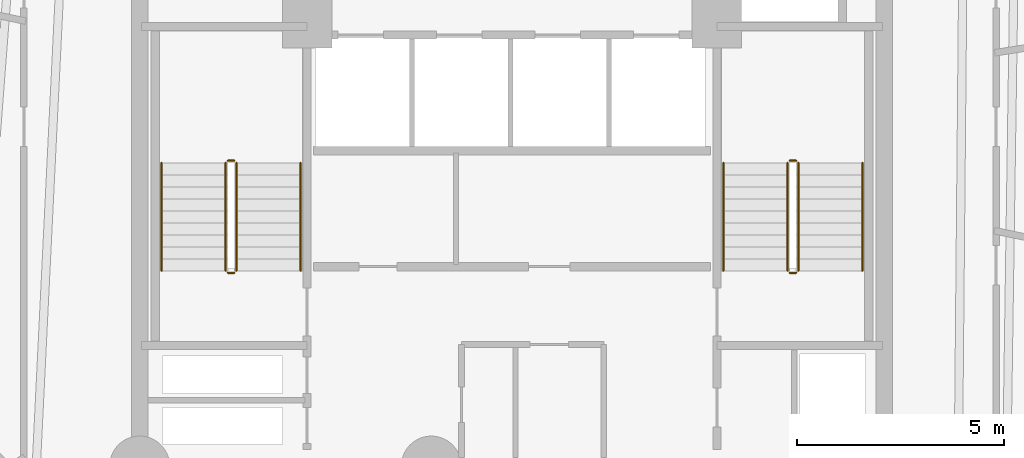
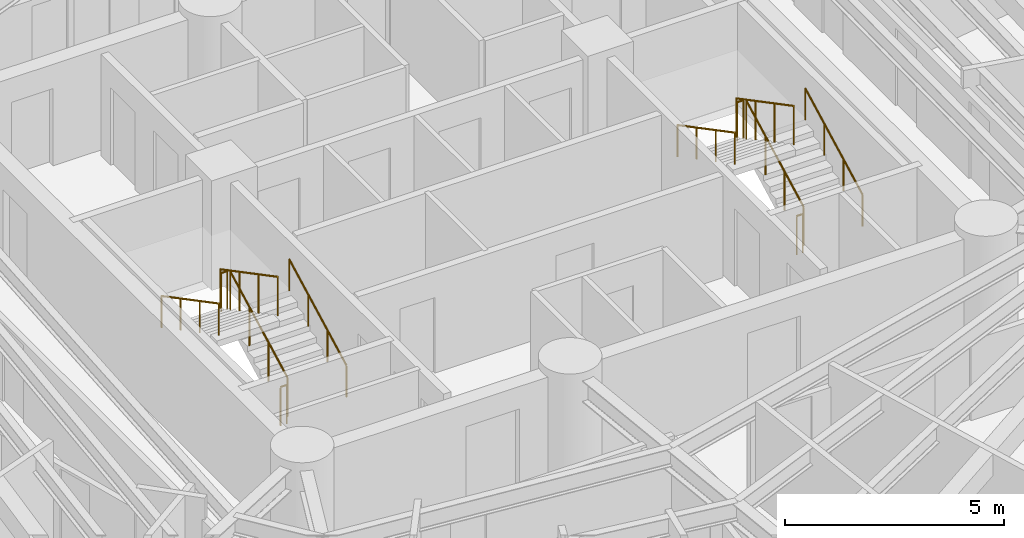
# One storey, part 8 of 8: 12 railings.
"""IFC4 building model written with IfcOpenShell, lengths in metres."""

from ifc_helpers import new_model, si_unit, direction, frame, origin, origin_2d, place, context, subcontext, project, spatial, circle, extrude, material, layer, layer_set, type_object, element, save


model = new_model("IFC4")

# Units and contexts
model_context = context("Model", 3, precision=1e-05, world=origin(), true_north=direction((0.0, 1.0)))
body_context = subcontext(model_context, "Body", "Model", "MODEL_VIEW")
ifc_project = project(units=[si_unit("LENGTHUNIT", "METRE"), si_unit("AREAUNIT", "SQUARE_METRE"), si_unit("VOLUMEUNIT", "CUBIC_METRE"), si_unit("PLANEANGLEUNIT", "RADIAN"), si_unit("MASSUNIT", "GRAM", prefix="KILO")], contexts=[model_context])

# Site, building, storey
site_placement = place(None, origin())
site = spatial("IfcSite", under=ifc_project, at=site_placement, CompositionType="ELEMENT")
building_placement = place(site_placement, origin())
building = spatial("IfcBuilding", under=site, at=building_placement, Name="Karkom Vertical University and Central Library", CompositionType="ELEMENT")
storey_placement = place(building_placement, frame((0.0, 0.0, 114.5)))
storey = spatial("IfcBuildingStorey", under=building, at=storey_placement, Name="L31", CompositionType="ELEMENT", Elevation=114.5)

# Railings
ifc_material_1 = material(Name="Painted galvanised steel balustrade", Category="steel")
ifc_layer_1 = layer(ifc_material_1, 0.06005859375)
ifc_layer_set_1 = layer_set([ifc_layer_1], Name="Painted galvanised steel balustrade")
railing_type_1 = type_object("IfcRailingType", Name="INT-RL-GUARD1100", PredefinedType="GUARDRAIL", material=ifc_layer_set_1)
railing_1_placement = place(storey_placement, frame((21.840087890625, 23.02001953125, 0.152587890625)))
element("IfcRailing", 1, at=railing_1_placement, inside=storey, type_object=railing_type_1, Name="Level 31 ST-1 stair guard 1", PredefinedType="GUARDRAIL", context=body_context, shape_type="SweptSolid", body=[
    extrude(circle(Radius=0.02392578125, at=origin_2d()), frame((0.0, 0.0, 1.076171875), z_axis=(0.0, 0.885099554253, 0.465401739426), x_axis=(-1.0, 0.0, 0.0)), (0.0, 0.0, 1.0), 2.94873046875),
    extrude(circle(Radius=0.02099609375, at=origin_2d()), origin(), (0.0, 0.0, 1.0), 1.052001953125),
    extrude(circle(Radius=0.02099609375, at=origin_2d()), frame((0.0, 0.869873046875, 0.45751953125)), (0.0, 0.0, 1.0), 1.052001953125),
    extrude(circle(Radius=0.02099609375, at=origin_2d()), frame((0.0, 1.739990234375, 0.914794921875)), (0.0, 0.0, 1.0), 1.052001953125),
    extrude(circle(Radius=0.02099609375, at=origin_2d()), frame((0.0, 2.60986328125, 1.372314453125)), (0.0, 0.0, 1.0), 1.052001953125),
])
railing_2_placement = place(storey_placement, frame((21.7900390625, 25.679931640625, 1.52490234375)))
element("IfcRailing", 2, at=railing_2_placement, inside=storey, type_object=railing_type_1, Name="Level 31 ST-1 stair guard 2", PredefinedType="GUARDRAIL", context=body_context, shape_type="SweptSolid", body=[
    extrude(circle(Radius=0.02392578125, at=origin_2d()), frame((0.0, 0.0, 1.076171875), z_axis=(-1.0, 0.0, 0.0), x_axis=(0.0, -1.0, 0.0)), (0.0, 0.0, 1.0), 0.16015625),
    extrude(circle(Radius=0.02099609375, at=origin_2d()), origin(), (0.0, 0.0, 1.0), 1.052001953125),
    extrude(circle(Radius=0.02099609375, at=origin_2d()), frame((-0.16015625, 0.0, 0.0)), (0.0, 0.0, 1.0), 1.052001953125),
])
railing_3_placement = place(storey_placement, frame((21.580078125, 25.6298828125, 1.677490234375)))
element("IfcRailing", 3, at=railing_3_placement, inside=storey, type_object=railing_type_1, Name="Level 31 ST-1 stair guard 3", PredefinedType="GUARDRAIL", context=body_context, shape_type="SweptSolid", body=[
    extrude(circle(Radius=0.02392578125, at=origin_2d()), frame((0.0, 0.0, 1.076171875), z_axis=(0.0, -0.885065446896, 0.46546659892), x_axis=(1.0, 0.0, 0.0)), (0.0, 0.0, 1.0), 2.94873046875),
    extrude(circle(Radius=0.02099609375, at=origin_2d()), origin(), (0.0, 0.0, 1.0), 1.052001953125),
    extrude(circle(Radius=0.02099609375, at=origin_2d()), frame((0.0, -0.869873046875, 0.45751953125)), (0.0, 0.0, 1.0), 1.052001953125),
    extrude(circle(Radius=0.02099609375, at=origin_2d()), frame((0.0, -1.739990234375, 0.9150390625)), (0.0, 0.0, 1.0), 1.052001953125),
    extrude(circle(Radius=0.02099609375, at=origin_2d()), frame((0.0, -2.60986328125, 1.37255859375)), (0.0, 0.0, 1.0), 1.052001953125),
])
railing_4_placement = place(storey_placement, frame((21.7900390625, 22.969970703125, 0.0)))
element("IfcRailing", 4, at=railing_4_placement, inside=storey, type_object=railing_type_1, Name="Level 31 ST-1 stair guard 4", PredefinedType="GUARDRAIL", context=body_context, shape_type="SweptSolid", body=[
    extrude(circle(Radius=0.02392578125, at=origin_2d()), frame((0.0, 0.0, 1.076171875), z_axis=(-1.0, 0.0, 0.0), x_axis=(0.0, -1.0, 0.0)), (0.0, 0.0, 1.0), 0.16015625),
    extrude(circle(Radius=0.02099609375, at=origin_2d()), origin(), (0.0, 0.0, 1.0), 1.052001953125),
    extrude(circle(Radius=0.02099609375, at=origin_2d()), frame((-0.16015625, 0.0, 0.0)), (0.0, 0.0, 1.0), 1.052001953125),
])
railing_5_placement = place(storey_placement, frame((35.419921875, 23.02001953125, 0.152587890625)))
element("IfcRailing", 5, at=railing_5_placement, inside=storey, type_object=railing_type_1, Name="Level 31 ST-2 stair guard 1", PredefinedType="GUARDRAIL", context=body_context, shape_type="SweptSolid", body=[
    extrude(circle(Radius=0.02392578125, at=origin_2d()), frame((0.0, 0.0, 1.076171875), z_axis=(0.0, 0.885099554253, 0.465401739426), x_axis=(-1.0, 0.0, 0.0)), (0.0, 0.0, 1.0), 2.94873046875),
    extrude(circle(Radius=0.02099609375, at=origin_2d()), origin(), (0.0, 0.0, 1.0), 1.052001953125),
    extrude(circle(Radius=0.02099609375, at=origin_2d()), frame((0.0, 0.869873046875, 0.45751953125)), (0.0, 0.0, 1.0), 1.052001953125),
    extrude(circle(Radius=0.02099609375, at=origin_2d()), frame((0.0, 1.739990234375, 0.914794921875)), (0.0, 0.0, 1.0), 1.052001953125),
    extrude(circle(Radius=0.02099609375, at=origin_2d()), frame((0.0, 2.60986328125, 1.372314453125)), (0.0, 0.0, 1.0), 1.052001953125),
])
railing_6_placement = place(storey_placement, frame((35.3701171875, 25.679931640625, 1.52490234375)))
element("IfcRailing", 6, at=railing_6_placement, inside=storey, type_object=railing_type_1, Name="Level 31 ST-2 stair guard 2", PredefinedType="GUARDRAIL", context=body_context, shape_type="SweptSolid", body=[
    extrude(circle(Radius=0.02392578125, at=origin_2d()), frame((0.0, 0.0, 1.076171875), z_axis=(-1.0, 0.0, 0.0), x_axis=(0.0, -1.0, 0.0)), (0.0, 0.0, 1.0), 0.16015625),
    extrude(circle(Radius=0.02099609375, at=origin_2d()), origin(), (0.0, 0.0, 1.0), 1.052001953125),
    extrude(circle(Radius=0.02099609375, at=origin_2d()), frame((-0.16015625, 0.0, 0.0)), (0.0, 0.0, 1.0), 1.052001953125),
])
railing_7_placement = place(storey_placement, frame((35.159912109375, 25.6298828125, 1.677490234375)))
element("IfcRailing", 7, at=railing_7_placement, inside=storey, type_object=railing_type_1, Name="Level 31 ST-2 stair guard 3", PredefinedType="GUARDRAIL", context=body_context, shape_type="SweptSolid", body=[
    extrude(circle(Radius=0.02392578125, at=origin_2d()), frame((0.0, 0.0, 1.076171875), z_axis=(0.0, -0.885065446896, 0.46546659892), x_axis=(1.0, 0.0, 0.0)), (0.0, 0.0, 1.0), 2.94873046875),
    extrude(circle(Radius=0.02099609375, at=origin_2d()), origin(), (0.0, 0.0, 1.0), 1.052001953125),
    extrude(circle(Radius=0.02099609375, at=origin_2d()), frame((0.0, -0.869873046875, 0.45751953125)), (0.0, 0.0, 1.0), 1.052001953125),
    extrude(circle(Radius=0.02099609375, at=origin_2d()), frame((0.0, -1.739990234375, 0.9150390625)), (0.0, 0.0, 1.0), 1.052001953125),
    extrude(circle(Radius=0.02099609375, at=origin_2d()), frame((0.0, -2.60986328125, 1.37255859375)), (0.0, 0.0, 1.0), 1.052001953125),
])
railing_8_placement = place(storey_placement, frame((35.3701171875, 22.969970703125, 0.0)))
element("IfcRailing", 8, at=railing_8_placement, inside=storey, type_object=railing_type_1, Name="Level 31 ST-2 stair guard 4", PredefinedType="GUARDRAIL", context=body_context, shape_type="SweptSolid", body=[
    extrude(circle(Radius=0.02392578125, at=origin_2d()), frame((0.0, 0.0, 1.076171875), z_axis=(-1.0, 0.0, 0.0), x_axis=(0.0, -1.0, 0.0)), (0.0, 0.0, 1.0), 0.16015625),
    extrude(circle(Radius=0.02099609375, at=origin_2d()), origin(), (0.0, 0.0, 1.0), 1.052001953125),
    extrude(circle(Radius=0.02099609375, at=origin_2d()), frame((-0.16015625, 0.0, 0.0)), (0.0, 0.0, 1.0), 1.052001953125),
])
ifc_material_2 = material(Name="Brushed stainless-steel tubular handrail", Category="steel")
ifc_layer_2 = layer(ifc_material_2, 0.048095703125)
ifc_layer_set_2 = layer_set([ifc_layer_2], Name="Brushed stainless-steel tubular handrail")
railing_type_2 = type_object("IfcRailingType", Name="INT-RL-HAND920", PredefinedType="HANDRAIL", material=ifc_layer_set_2)
railing_9_placement = place(storey_placement, frame((23.389892578125, 23.02001953125, 0.152587890625)))
element("IfcRailing", 9, at=railing_9_placement, inside=storey, type_object=railing_type_2, Name="Level 31 ST-1 stair handrail 1", PredefinedType="HANDRAIL", context=body_context, shape_type="SweptSolid", body=[
    extrude(circle(Radius=0.02392578125, at=origin_2d()), frame((0.0, 0.0, 0.8759765625), z_axis=(0.0, 0.885099554253, 0.465401739426), x_axis=(-1.0, 0.0, 0.0)), (0.0, 0.0, 1.0), 2.94873046875),
    extrude(circle(Radius=0.02099609375, at=origin_2d()), origin(), (0.0, 0.0, 1.0), 0.851806640625),
    extrude(circle(Radius=0.02099609375, at=origin_2d()), frame((0.0, 0.869873046875, 0.45751953125)), (0.0, 0.0, 1.0), 0.851806640625),
    extrude(circle(Radius=0.02099609375, at=origin_2d()), frame((0.0, 1.739990234375, 0.914794921875)), (0.0, 0.0, 1.0), 0.851806640625),
    extrude(circle(Radius=0.02099609375, at=origin_2d()), frame((0.0, 2.60986328125, 1.372314453125)), (0.0, 0.0, 1.0), 0.851806640625),
])
railing_10_placement = place(storey_placement, frame((20.030029296875, 25.6298828125, 1.677490234375)))
element("IfcRailing", 10, at=railing_10_placement, inside=storey, type_object=railing_type_2, Name="Level 31 ST-1 stair handrail 2", PredefinedType="HANDRAIL", context=body_context, shape_type="SweptSolid", body=[
    extrude(circle(Radius=0.02392578125, at=origin_2d()), frame((0.0, 0.0, 0.8759765625), z_axis=(0.0, -0.885065446896, 0.46546659892), x_axis=(1.0, 0.0, 0.0)), (0.0, 0.0, 1.0), 2.94873046875),
    extrude(circle(Radius=0.02099609375, at=origin_2d()), origin(), (0.0, 0.0, 1.0), 0.851806640625),
    extrude(circle(Radius=0.02099609375, at=origin_2d()), frame((0.0, -0.869873046875, 0.45751953125)), (0.0, 0.0, 1.0), 0.851806640625),
    extrude(circle(Radius=0.02099609375, at=origin_2d()), frame((0.0, -1.739990234375, 0.9150390625)), (0.0, 0.0, 1.0), 0.851806640625),
    extrude(circle(Radius=0.02099609375, at=origin_2d()), frame((0.0, -2.60986328125, 1.37255859375)), (0.0, 0.0, 1.0), 0.851806640625),
])
railing_11_placement = place(storey_placement, frame((36.969970703125, 23.02001953125, 0.152587890625)))
element("IfcRailing", 11, at=railing_11_placement, inside=storey, type_object=railing_type_2, Name="Level 31 ST-2 stair handrail 1", PredefinedType="HANDRAIL", context=body_context, shape_type="SweptSolid", body=[
    extrude(circle(Radius=0.02392578125, at=origin_2d()), frame((0.0, 0.0, 0.8759765625), z_axis=(0.0, 0.885099554253, 0.465401739426), x_axis=(-1.0, 0.0, 0.0)), (0.0, 0.0, 1.0), 2.94873046875),
    extrude(circle(Radius=0.02099609375, at=origin_2d()), origin(), (0.0, 0.0, 1.0), 0.851806640625),
    extrude(circle(Radius=0.02099609375, at=origin_2d()), frame((0.0, 0.869873046875, 0.45751953125)), (0.0, 0.0, 1.0), 0.851806640625),
    extrude(circle(Radius=0.02099609375, at=origin_2d()), frame((0.0, 1.739990234375, 0.914794921875)), (0.0, 0.0, 1.0), 0.851806640625),
    extrude(circle(Radius=0.02099609375, at=origin_2d()), frame((0.0, 2.60986328125, 1.372314453125)), (0.0, 0.0, 1.0), 0.851806640625),
])
railing_12_placement = place(storey_placement, frame((33.610107421875, 25.6298828125, 1.677490234375)))
element("IfcRailing", 12, at=railing_12_placement, inside=storey, type_object=railing_type_2, Name="Level 31 ST-2 stair handrail 2", PredefinedType="HANDRAIL", context=body_context, shape_type="SweptSolid", body=[
    extrude(circle(Radius=0.02392578125, at=origin_2d()), frame((0.0, 0.0, 0.8759765625), z_axis=(0.0, -0.885065446896, 0.46546659892), x_axis=(1.0, 0.0, 0.0)), (0.0, 0.0, 1.0), 2.94873046875),
    extrude(circle(Radius=0.02099609375, at=origin_2d()), origin(), (0.0, 0.0, 1.0), 0.851806640625),
    extrude(circle(Radius=0.02099609375, at=origin_2d()), frame((0.0, -0.869873046875, 0.45751953125)), (0.0, 0.0, 1.0), 0.851806640625),
    extrude(circle(Radius=0.02099609375, at=origin_2d()), frame((0.0, -1.739990234375, 0.9150390625)), (0.0, 0.0, 1.0), 0.851806640625),
    extrude(circle(Radius=0.02099609375, at=origin_2d()), frame((0.0, -2.60986328125, 1.37255859375)), (0.0, 0.0, 1.0), 0.851806640625),
])

save(model, "model.ifc")
